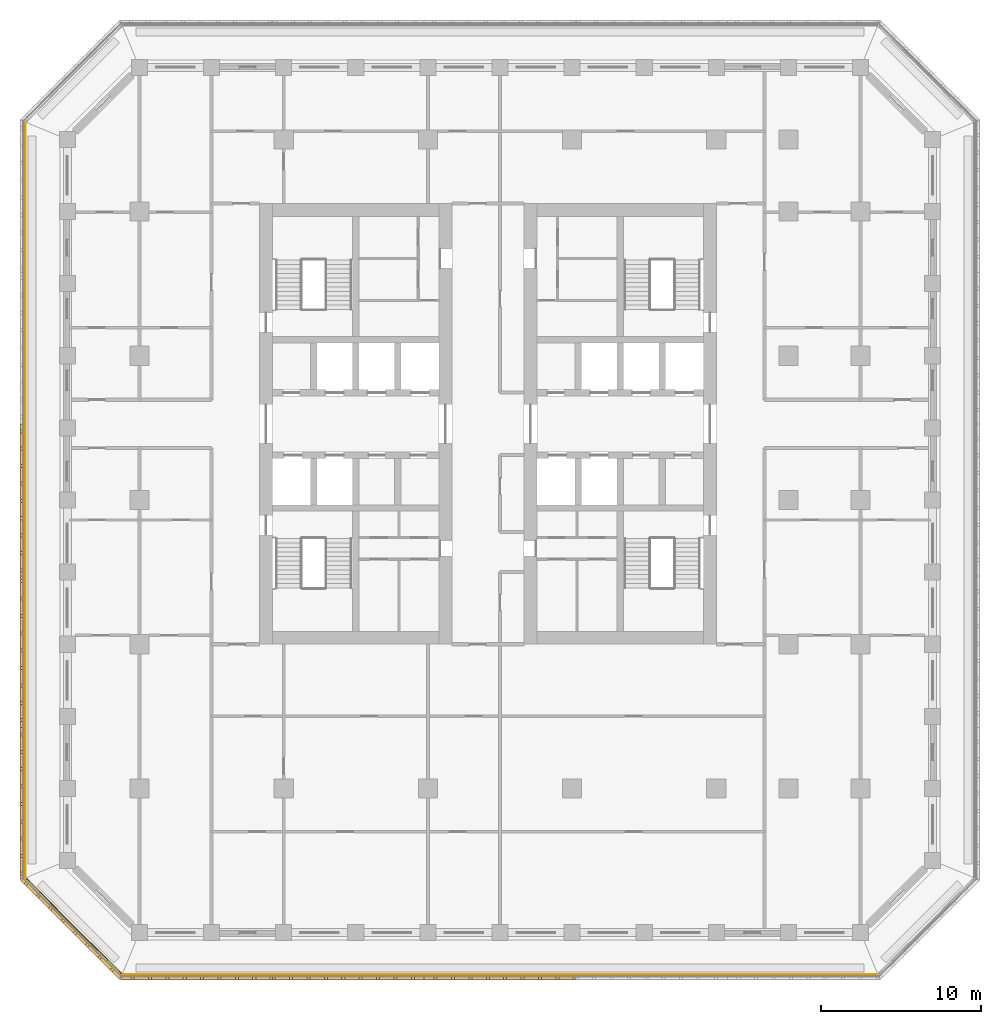
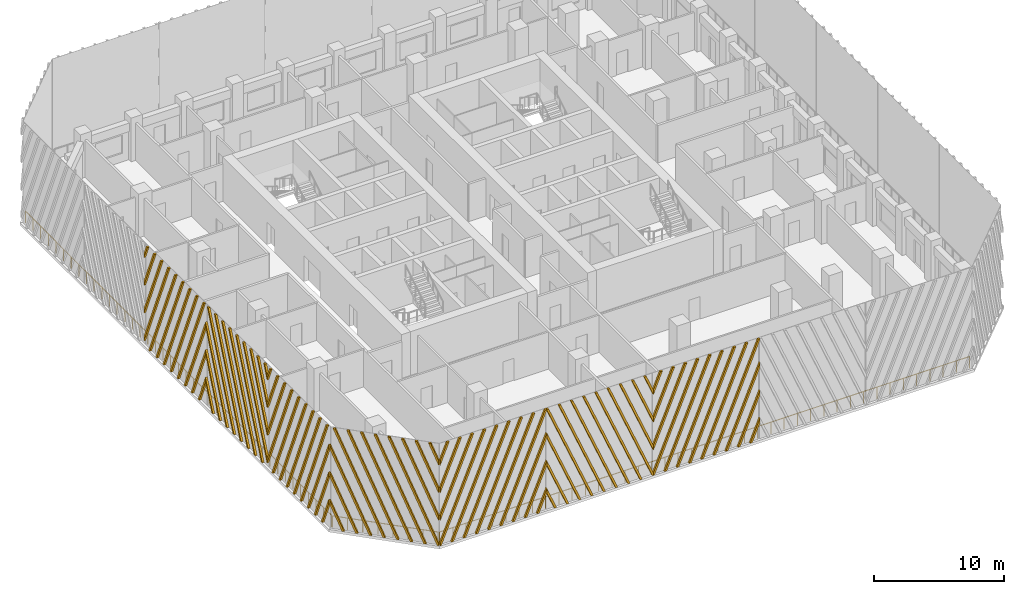
# One storey, part 10 of 17: 7 shading devices, 3 railings.
"""IFC4 building model written with IfcOpenShell, lengths in metres."""

from ifc_helpers import new_model, si_unit, direction, frame, origin, origin_2d, place, context, subcontext, project, spatial, polyline, circle, outline, extrude, source, transform, mapped, material, type_object, element, save


model = new_model("IFC4")

# Units and contexts
model_context = context("Model", 3, precision=1e-05, world=origin(), true_north=direction((0.0, 1.0)))
body_context = subcontext(model_context, "Body", "Model", "MODEL_VIEW")
ifc_project = project(units=[si_unit("LENGTHUNIT", "METRE"), si_unit("AREAUNIT", "SQUARE_METRE"), si_unit("VOLUMEUNIT", "CUBIC_METRE"), si_unit("PLANEANGLEUNIT", "RADIAN"), si_unit("MASSUNIT", "GRAM", prefix="KILO")], contexts=[model_context])

# Site, building, storey
site_placement = place(None, origin())
site = spatial("IfcSite", under=ifc_project, at=site_placement, CompositionType="ELEMENT")
building_placement = place(site_placement, origin())
building = spatial("IfcBuilding", under=site, at=building_placement, Name="Corbel Stack Research Tower", CompositionType="ELEMENT")
storey_placement = place(building_placement, frame((0.0, 0.0, 216.10009765625)))
storey = spatial("IfcBuildingStorey", under=building, at=storey_placement, Name="L49", CompositionType="ELEMENT", Elevation=216.10009765625)

# Railings
ifc_material_1 = material(Name="Powder-coated steel guard", Category="steel")
railing_type = type_object("IfcRailingType", Name="Steel and glass guard 1100", PredefinedType="GUARDRAIL", material=ifc_material_1)
railing_1_placement = place(storey_placement, frame((-19.00537109375, -29.60009765625, 0.0)))
element("IfcRailing", 1, at=railing_1_placement, inside=storey, type_object=railing_type, Name="Loggia guard L49 S", PredefinedType="GUARDRAIL", context=body_context, shape_type="SweptSolid", body=[
    extrude(circle(Radius=0.02392578125, at=origin_2d()), frame((0.0, 0.0, 1.076171875), z_axis=(1.0, 0.0, 0.0), x_axis=(0.0, 1.0, 0.0)), (0.0, 0.0, 1.0), 47.0107421875),
    extrude(circle(Radius=0.02099609375, at=origin_2d()), origin(), (0.0, 0.0, 1.0), 1.052001953125),
    extrude(circle(Radius=0.02099609375, at=origin_2d()), frame((1.17529296875, 0.0, 0.0)), (0.0, 0.0, 1.0), 1.052001953125),
    extrude(circle(Radius=0.02099609375, at=origin_2d()), frame((2.3505859375, 0.0, 0.0)), (0.0, 0.0, 1.0), 1.052001953125),
    extrude(circle(Radius=0.02099609375, at=origin_2d()), frame((3.52587890625, 0.0, 0.0)), (0.0, 0.0, 1.0), 1.052001953125),
    extrude(circle(Radius=0.02099609375, at=origin_2d()), frame((4.701171875, 0.0, 0.0)), (0.0, 0.0, 1.0), 1.052001953125),
    extrude(circle(Radius=0.02099609375, at=origin_2d()), frame((5.87646484375, 0.0, 0.0)), (0.0, 0.0, 1.0), 1.052001953125),
    extrude(circle(Radius=0.02099609375, at=origin_2d()), frame((7.051513671875, 0.0, 0.0)), (0.0, 0.0, 1.0), 1.052001953125),
    extrude(circle(Radius=0.02099609375, at=origin_2d()), frame((8.226806640625, 0.0, 0.0)), (0.0, 0.0, 1.0), 1.052001953125),
    extrude(circle(Radius=0.02099609375, at=origin_2d()), frame((9.402099609375, 0.0, 0.0)), (0.0, 0.0, 1.0), 1.052001953125),
    extrude(circle(Radius=0.02099609375, at=origin_2d()), frame((10.577392578125, 0.0, 0.0)), (0.0, 0.0, 1.0), 1.052001953125),
    extrude(circle(Radius=0.02099609375, at=origin_2d()), frame((11.752685546875, 0.0, 0.0)), (0.0, 0.0, 1.0), 1.052001953125),
    extrude(circle(Radius=0.02099609375, at=origin_2d()), frame((12.927978515625, 0.0, 0.0)), (0.0, 0.0, 1.0), 1.052001953125),
    extrude(circle(Radius=0.02099609375, at=origin_2d()), frame((14.103271484375, 0.0, 0.0)), (0.0, 0.0, 1.0), 1.052001953125),
    extrude(circle(Radius=0.02099609375, at=origin_2d()), frame((15.278564453125, 0.0, 0.0)), (0.0, 0.0, 1.0), 1.052001953125),
    extrude(circle(Radius=0.02099609375, at=origin_2d()), frame((16.453857421875, 0.0, 0.0)), (0.0, 0.0, 1.0), 1.052001953125),
    extrude(circle(Radius=0.02099609375, at=origin_2d()), frame((17.62890625, 0.0, 0.0)), (0.0, 0.0, 1.0), 1.052001953125),
    extrude(circle(Radius=0.02099609375, at=origin_2d()), frame((18.80419921875, 0.0, 0.0)), (0.0, 0.0, 1.0), 1.052001953125),
    extrude(circle(Radius=0.02099609375, at=origin_2d()), frame((19.9794921875, 0.0, 0.0)), (0.0, 0.0, 1.0), 1.052001953125),
    extrude(circle(Radius=0.02099609375, at=origin_2d()), frame((21.15478515625, 0.0, 0.0)), (0.0, 0.0, 1.0), 1.052001953125),
    extrude(circle(Radius=0.02099609375, at=origin_2d()), frame((22.330078125, 0.0, 0.0)), (0.0, 0.0, 1.0), 1.052001953125),
    extrude(circle(Radius=0.02099609375, at=origin_2d()), frame((23.50537109375, 0.0, 0.0)), (0.0, 0.0, 1.0), 1.052001953125),
    extrude(circle(Radius=0.02099609375, at=origin_2d()), frame((24.6806640625, 0.0, 0.0)), (0.0, 0.0, 1.0), 1.052001953125),
    extrude(circle(Radius=0.02099609375, at=origin_2d()), frame((25.85595703125, 0.0, 0.0)), (0.0, 0.0, 1.0), 1.052001953125),
    extrude(circle(Radius=0.02099609375, at=origin_2d()), frame((27.03125, 0.0, 0.0)), (0.0, 0.0, 1.0), 1.052001953125),
    extrude(circle(Radius=0.02099609375, at=origin_2d()), frame((28.20654296875, 0.0, 0.0)), (0.0, 0.0, 1.0), 1.052001953125),
    extrude(circle(Radius=0.02099609375, at=origin_2d()), frame((29.3818359375, 0.0, 0.0)), (0.0, 0.0, 1.0), 1.052001953125),
    extrude(circle(Radius=0.02099609375, at=origin_2d()), frame((30.556884765625, 0.0, 0.0)), (0.0, 0.0, 1.0), 1.052001953125),
    extrude(circle(Radius=0.02099609375, at=origin_2d()), frame((31.732177734375, 0.0, 0.0)), (0.0, 0.0, 1.0), 1.052001953125),
    extrude(circle(Radius=0.02099609375, at=origin_2d()), frame((32.907470703125, 0.0, 0.0)), (0.0, 0.0, 1.0), 1.052001953125),
    extrude(circle(Radius=0.02099609375, at=origin_2d()), frame((34.082763671875, 0.0, 0.0)), (0.0, 0.0, 1.0), 1.052001953125),
    extrude(circle(Radius=0.02099609375, at=origin_2d()), frame((35.258056640625, 0.0, 0.0)), (0.0, 0.0, 1.0), 1.052001953125),
    extrude(circle(Radius=0.02099609375, at=origin_2d()), frame((36.433349609375, 0.0, 0.0)), (0.0, 0.0, 1.0), 1.052001953125),
    extrude(circle(Radius=0.02099609375, at=origin_2d()), frame((37.608642578125, 0.0, 0.0)), (0.0, 0.0, 1.0), 1.052001953125),
    extrude(circle(Radius=0.02099609375, at=origin_2d()), frame((38.783935546875, 0.0, 0.0)), (0.0, 0.0, 1.0), 1.052001953125),
    extrude(circle(Radius=0.02099609375, at=origin_2d()), frame((39.959228515625, 0.0, 0.0)), (0.0, 0.0, 1.0), 1.052001953125),
    extrude(circle(Radius=0.02099609375, at=origin_2d()), frame((41.13427734375, 0.0, 0.0)), (0.0, 0.0, 1.0), 1.052001953125),
    extrude(circle(Radius=0.02099609375, at=origin_2d()), frame((42.3095703125, 0.0, 0.0)), (0.0, 0.0, 1.0), 1.052001953125),
    extrude(circle(Radius=0.02099609375, at=origin_2d()), frame((43.48486328125, 0.0, 0.0)), (0.0, 0.0, 1.0), 1.052001953125),
    extrude(circle(Radius=0.02099609375, at=origin_2d()), frame((44.66015625, 0.0, 0.0)), (0.0, 0.0, 1.0), 1.052001953125),
    extrude(circle(Radius=0.02099609375, at=origin_2d()), frame((45.83544921875, 0.0, 0.0)), (0.0, 0.0, 1.0), 1.052001953125),
    extrude(circle(Radius=0.02099609375, at=origin_2d()), frame((47.0107421875, 0.0, 0.0)), (0.0, 0.0, 1.0), 1.052001953125),
])
railing_2_placement = place(storey_placement, frame((-25.10009765625, 23.50537109375, 0.0)))
element("IfcRailing", 2, at=railing_2_placement, inside=storey, type_object=railing_type, Name="Loggia guard L49 W", PredefinedType="GUARDRAIL", context=body_context, shape_type="SweptSolid", body=[
    extrude(circle(Radius=0.02392578125, at=origin_2d()), frame((0.0, 0.0, 1.076171875), z_axis=(0.0, -1.0, 0.0), x_axis=(1.0, 0.0, 0.0)), (0.0, 0.0, 1.0), 47.0107421875),
    extrude(circle(Radius=0.02099609375, at=origin_2d()), origin(), (0.0, 0.0, 1.0), 1.052001953125),
    extrude(circle(Radius=0.02099609375, at=origin_2d()), frame((0.0, -1.17529296875, 0.0)), (0.0, 0.0, 1.0), 1.052001953125),
    extrude(circle(Radius=0.02099609375, at=origin_2d()), frame((0.0, -2.3505859375, 0.0)), (0.0, 0.0, 1.0), 1.052001953125),
    extrude(circle(Radius=0.02099609375, at=origin_2d()), frame((0.0, -3.52587890625, 0.0)), (0.0, 0.0, 1.0), 1.052001953125),
    extrude(circle(Radius=0.02099609375, at=origin_2d()), frame((0.0, -4.701171875, 0.0)), (0.0, 0.0, 1.0), 1.052001953125),
    extrude(circle(Radius=0.02099609375, at=origin_2d()), frame((0.0, -5.87646484375, 0.0)), (0.0, 0.0, 1.0), 1.052001953125),
    extrude(circle(Radius=0.02099609375, at=origin_2d()), frame((0.0, -7.051513671875, 0.0)), (0.0, 0.0, 1.0), 1.052001953125),
    extrude(circle(Radius=0.02099609375, at=origin_2d()), frame((0.0, -8.226806640625, 0.0)), (0.0, 0.0, 1.0), 1.052001953125),
    extrude(circle(Radius=0.02099609375, at=origin_2d()), frame((0.0, -9.402099609375, 0.0)), (0.0, 0.0, 1.0), 1.052001953125),
    extrude(circle(Radius=0.02099609375, at=origin_2d()), frame((0.0, -10.577392578125, 0.0)), (0.0, 0.0, 1.0), 1.052001953125),
    extrude(circle(Radius=0.02099609375, at=origin_2d()), frame((0.0, -11.752685546875, 0.0)), (0.0, 0.0, 1.0), 1.052001953125),
    extrude(circle(Radius=0.02099609375, at=origin_2d()), frame((0.0, -12.927978515625, 0.0)), (0.0, 0.0, 1.0), 1.052001953125),
    extrude(circle(Radius=0.02099609375, at=origin_2d()), frame((0.0, -14.103271484375, 0.0)), (0.0, 0.0, 1.0), 1.052001953125),
    extrude(circle(Radius=0.02099609375, at=origin_2d()), frame((0.0, -15.278564453125, 0.0)), (0.0, 0.0, 1.0), 1.052001953125),
    extrude(circle(Radius=0.02099609375, at=origin_2d()), frame((0.0, -16.453857421875, 0.0)), (0.0, 0.0, 1.0), 1.052001953125),
    extrude(circle(Radius=0.02099609375, at=origin_2d()), frame((0.0, -17.62890625, 0.0)), (0.0, 0.0, 1.0), 1.052001953125),
    extrude(circle(Radius=0.02099609375, at=origin_2d()), frame((0.0, -18.80419921875, 0.0)), (0.0, 0.0, 1.0), 1.052001953125),
    extrude(circle(Radius=0.02099609375, at=origin_2d()), frame((0.0, -19.9794921875, 0.0)), (0.0, 0.0, 1.0), 1.052001953125),
    extrude(circle(Radius=0.02099609375, at=origin_2d()), frame((0.0, -21.15478515625, 0.0)), (0.0, 0.0, 1.0), 1.052001953125),
    extrude(circle(Radius=0.02099609375, at=origin_2d()), frame((0.0, -22.330078125, 0.0)), (0.0, 0.0, 1.0), 1.052001953125),
    extrude(circle(Radius=0.02099609375, at=origin_2d()), frame((0.0, -23.50537109375, 0.0)), (0.0, 0.0, 1.0), 1.052001953125),
    extrude(circle(Radius=0.02099609375, at=origin_2d()), frame((0.0, -24.6806640625, 0.0)), (0.0, 0.0, 1.0), 1.052001953125),
    extrude(circle(Radius=0.02099609375, at=origin_2d()), frame((0.0, -25.85595703125, 0.0)), (0.0, 0.0, 1.0), 1.052001953125),
    extrude(circle(Radius=0.02099609375, at=origin_2d()), frame((0.0, -27.03125, 0.0)), (0.0, 0.0, 1.0), 1.052001953125),
    extrude(circle(Radius=0.02099609375, at=origin_2d()), frame((0.0, -28.20654296875, 0.0)), (0.0, 0.0, 1.0), 1.052001953125),
    extrude(circle(Radius=0.02099609375, at=origin_2d()), frame((0.0, -29.3818359375, 0.0)), (0.0, 0.0, 1.0), 1.052001953125),
    extrude(circle(Radius=0.02099609375, at=origin_2d()), frame((0.0, -30.556884765625, 0.0)), (0.0, 0.0, 1.0), 1.052001953125),
    extrude(circle(Radius=0.02099609375, at=origin_2d()), frame((0.0, -31.732177734375, 0.0)), (0.0, 0.0, 1.0), 1.052001953125),
    extrude(circle(Radius=0.02099609375, at=origin_2d()), frame((0.0, -32.907470703125, 0.0)), (0.0, 0.0, 1.0), 1.052001953125),
    extrude(circle(Radius=0.02099609375, at=origin_2d()), frame((0.0, -34.082763671875, 0.0)), (0.0, 0.0, 1.0), 1.052001953125),
    extrude(circle(Radius=0.02099609375, at=origin_2d()), frame((0.0, -35.258056640625, 0.0)), (0.0, 0.0, 1.0), 1.052001953125),
    extrude(circle(Radius=0.02099609375, at=origin_2d()), frame((0.0, -36.433349609375, 0.0)), (0.0, 0.0, 1.0), 1.052001953125),
    extrude(circle(Radius=0.02099609375, at=origin_2d()), frame((0.0, -37.608642578125, 0.0)), (0.0, 0.0, 1.0), 1.052001953125),
    extrude(circle(Radius=0.02099609375, at=origin_2d()), frame((0.0, -38.783935546875, 0.0)), (0.0, 0.0, 1.0), 1.052001953125),
    extrude(circle(Radius=0.02099609375, at=origin_2d()), frame((0.0, -39.959228515625, 0.0)), (0.0, 0.0, 1.0), 1.052001953125),
    extrude(circle(Radius=0.02099609375, at=origin_2d()), frame((0.0, -41.13427734375, 0.0)), (0.0, 0.0, 1.0), 1.052001953125),
    extrude(circle(Radius=0.02099609375, at=origin_2d()), frame((0.0, -42.3095703125, 0.0)), (0.0, 0.0, 1.0), 1.052001953125),
    extrude(circle(Radius=0.02099609375, at=origin_2d()), frame((0.0, -43.48486328125, 0.0)), (0.0, 0.0, 1.0), 1.052001953125),
    extrude(circle(Radius=0.02099609375, at=origin_2d()), frame((0.0, -44.66015625, 0.0)), (0.0, 0.0, 1.0), 1.052001953125),
    extrude(circle(Radius=0.02099609375, at=origin_2d()), frame((0.0, -45.83544921875, 0.0)), (0.0, 0.0, 1.0), 1.052001953125),
    extrude(circle(Radius=0.02099609375, at=origin_2d()), frame((0.0, -47.0107421875, 0.0)), (0.0, 0.0, 1.0), 1.052001953125),
])
railing_3_placement = place(storey_placement, frame((-25.04931640625, -23.627685546875, 0.0)))
element("IfcRailing", 3, at=railing_3_placement, inside=storey, type_object=railing_type, Name="Loggia guard L49 SW", PredefinedType="GUARDRAIL", context=body_context, shape_type="SweptSolid", body=[
    extrude(circle(Radius=0.02392578125, at=origin_2d()), frame((0.0, 0.0, 1.076171875), z_axis=(0.707106781187, -0.707106781187, 0.0), x_axis=(0.707106781187, 0.707106781187, 0.0)), (0.0, 0.0, 1.0), 8.37451171875),
    extrude(circle(Radius=0.02099609375, at=origin_2d()), origin(), (0.0, 0.0, 1.0), 1.052001953125),
    extrude(circle(Radius=0.02099609375, at=origin_2d()), frame((0.845947265625, -0.845947265625, 0.0)), (0.0, 0.0, 1.0), 1.052001953125),
    extrude(circle(Radius=0.02099609375, at=origin_2d()), frame((1.69189453125, -1.69189453125, 0.0)), (0.0, 0.0, 1.0), 1.052001953125),
    extrude(circle(Radius=0.02099609375, at=origin_2d()), frame((2.537841796875, -2.537841796875, 0.0)), (0.0, 0.0, 1.0), 1.052001953125),
    extrude(circle(Radius=0.02099609375, at=origin_2d()), frame((3.3837890625, -3.3837890625, 0.0)), (0.0, 0.0, 1.0), 1.052001953125),
    extrude(circle(Radius=0.02099609375, at=origin_2d()), frame((4.229736328125, -4.229736328125, 0.0)), (0.0, 0.0, 1.0), 1.052001953125),
    extrude(circle(Radius=0.02099609375, at=origin_2d()), frame((5.07568359375, -5.07568359375, 0.0)), (0.0, 0.0, 1.0), 1.052001953125),
    extrude(circle(Radius=0.02099609375, at=origin_2d()), frame((5.921630859375, -5.921630859375, 0.0)), (0.0, 0.0, 1.0), 1.052001953125),
])

# Shading devices
ifc_material_2 = material(Name="Precast terracotta", Category="masonry")
shading_device_type = type_object("IfcShadingDeviceType", Name="Terracotta screen panel", PredefinedType="USERDEFINED", material=ifc_material_2)
shared_shape_1 = source(origin(), body_context, "Body", "SweptSolid", [
    extrude(outline(polyline([(0.80859375, 9.5), (0.618408203125, 9.5), (0.0, 8.01904296875), (0.0, 7.564208984375), (0.80859375, 9.5)])), frame((0.0, 0.0, 0.0), z_axis=(0.0, -1.0, 0.0), x_axis=(1.0, 0.0, 0.0)), (0.0, 0.0, 1.0), 0.179931640625),
    extrude(outline(polyline([(1.893310546875, 9.5), (1.703125, 9.5), (0.0, 5.421875), (0.0, 4.966796875), (1.893310546875, 9.5)])), frame((0.0, 0.0, 0.0), z_axis=(0.0, -1.0, 0.0), x_axis=(1.0, 0.0, 0.0)), (0.0, 0.0, 1.0), 0.179931640625),
    extrude(outline(polyline([(2.977783203125, 9.5), (2.787841796875, 9.5), (0.0, 2.82470703125), (0.0, 2.36962890625), (2.977783203125, 9.5)])), frame((0.0, 0.0, 0.0), z_axis=(0.0, -1.0, 0.0), x_axis=(1.0, 0.0, 0.0)), (0.0, 0.0, 1.0), 0.179931640625),
    extrude(outline(polyline([(0.094970703125, 0.0), (4.0625, 9.5), (3.87255859375, 9.5), (0.0, 0.2275390625), (0.0, 0.0), (0.094970703125, 0.0)])), frame((0.0, 0.0, 0.0), z_axis=(0.0, -1.0, 0.0), x_axis=(1.0, 0.0, 0.0)), (0.0, 0.0, 1.0), 0.179931640625),
    extrude(outline(polyline([(1.1796875, 0.0), (5.147216796875, 9.5), (4.957275390625, 9.5), (0.98974609375, 0.0), (1.1796875, 0.0)])), frame((0.0, 0.0, 0.0), z_axis=(0.0, -1.0, 0.0), x_axis=(1.0, 0.0, 0.0)), (0.0, 0.0, 1.0), 0.179931640625),
    extrude(outline(polyline([(2.264404296875, 0.0), (6.231689453125, 9.5), (6.041748046875, 9.5), (2.07421875, 0.0), (2.264404296875, 0.0)])), frame((0.0, 0.0, 0.0), z_axis=(0.0, -1.0, 0.0), x_axis=(1.0, 0.0, 0.0)), (0.0, 0.0, 1.0), 0.179931640625),
    extrude(outline(polyline([(3.34912109375, 0.0), (7.31640625, 9.5), (7.12646484375, 9.5), (3.158935546875, 0.0), (3.34912109375, 0.0)])), frame((0.0, 0.0, 0.0), z_axis=(0.0, -1.0, 0.0), x_axis=(1.0, 0.0, 0.0)), (0.0, 0.0, 1.0), 0.179931640625),
    extrude(outline(polyline([(4.43359375, 0.0), (8.401123046875, 9.5), (8.211181640625, 9.5), (4.24365234375, 0.0), (4.43359375, 0.0)])), frame((0.0, 0.0, 0.0), z_axis=(0.0, -1.0, 0.0), x_axis=(1.0, 0.0, 0.0)), (0.0, 0.0, 1.0), 0.179931640625),
    extrude(outline(polyline([(5.518310546875, 0.0), (9.45556640625, 9.427734375), (9.45556640625, 9.5), (9.2958984375, 9.5), (5.328369140625, 0.0), (5.518310546875, 0.0)])), frame((0.0, 0.0, 0.0), z_axis=(0.0, -1.0, 0.0), x_axis=(1.0, 0.0, 0.0)), (0.0, 0.0, 1.0), 0.179931640625),
    extrude(outline(polyline([(6.60302734375, 0.0), (9.45556640625, 6.83056640625), (9.45556640625, 7.285400390625), (6.4130859375, 0.0), (6.60302734375, 0.0)])), frame((0.0, 0.0, 0.0), z_axis=(0.0, -1.0, 0.0), x_axis=(1.0, 0.0, 0.0)), (0.0, 0.0, 1.0), 0.179931640625),
    extrude(outline(polyline([(7.687744140625, 0.0), (9.45556640625, 4.2333984375), (9.45556640625, 4.688232421875), (7.497802734375, 0.0), (7.687744140625, 0.0)])), frame((0.0, 0.0, 0.0), z_axis=(0.0, -1.0, 0.0), x_axis=(1.0, 0.0, 0.0)), (0.0, 0.0, 1.0), 0.179931640625),
    extrude(outline(polyline([(8.772216796875, 0.0), (9.45556640625, 1.635986328125), (9.45556640625, 2.091064453125), (8.582275390625, 0.0), (8.772216796875, 0.0)])), frame((0.0, 0.0, 0.0), z_axis=(0.0, -1.0, 0.0), x_axis=(1.0, 0.0, 0.0)), (0.0, 0.0, 1.0), 0.179931640625),
])
for number, where, z_axis, x_axis, name in (
    (4, (-19.13916015625, -29.75, 0.0), (0.0, 0.0, 1.0), (1.0, 0.0, 0.0), "Terracotta screen L49 S1"),
    (5, (-0.227783203125, -29.75, 0.0), (0.0, 0.0, 1.0), (1.0, 0.0, 0.0), "Terracotta screen L49 S3"),
):
    element("IfcShadingDevice", number, at=place(storey_placement, frame(where, z_axis=z_axis, x_axis=x_axis)), inside=storey, type_object=shading_device_type, Name=name, ObjectType="SCREEN", PredefinedType="USERDEFINED", context=body_context, shape_type="MappedRepresentation", body=[
        mapped(shared_shape_1, transform((0.0, 0.0, 0.0))),
    ])
shared_shape_2 = source(origin(), body_context, "Body", "SweptSolid", [
    extrude(outline(polyline([(0.873291015625, 0.0), (0.0, 2.091064453125), (0.0, 1.635986328125), (0.683349609375, 0.0), (0.873291015625, 0.0)])), frame((0.0, 0.0, 0.0), z_axis=(0.0, -1.0, 0.0), x_axis=(1.0, 0.0, 0.0)), (0.0, 0.0, 1.0), 0.179931640625),
    extrude(outline(polyline([(1.9580078125, 0.0), (0.0, 4.688232421875), (0.0, 4.2333984375), (1.76806640625, 0.0), (1.9580078125, 0.0)])), frame((0.0, 0.0, 0.0), z_axis=(0.0, -1.0, 0.0), x_axis=(1.0, 0.0, 0.0)), (0.0, 0.0, 1.0), 0.179931640625),
    extrude(outline(polyline([(3.04248046875, 0.0), (0.0, 7.285400390625), (0.0, 6.83056640625), (2.8525390625, 0.0), (3.04248046875, 0.0)])), frame((0.0, 0.0, 0.0), z_axis=(0.0, -1.0, 0.0), x_axis=(1.0, 0.0, 0.0)), (0.0, 0.0, 1.0), 0.179931640625),
    extrude(outline(polyline([(4.127197265625, 0.0), (0.159912109375, 9.5), (0.0, 9.5), (0.0, 9.427734375), (3.937255859375, 0.0), (4.127197265625, 0.0)])), frame((0.0, 0.0, 0.0), z_axis=(0.0, -1.0, 0.0), x_axis=(1.0, 0.0, 0.0)), (0.0, 0.0, 1.0), 0.179931640625),
    extrude(outline(polyline([(5.2119140625, 0.0), (1.244384765625, 9.5), (1.054443359375, 9.5), (5.02197265625, 0.0), (5.2119140625, 0.0)])), frame((0.0, 0.0, 0.0), z_axis=(0.0, -1.0, 0.0), x_axis=(1.0, 0.0, 0.0)), (0.0, 0.0, 1.0), 0.179931640625),
    extrude(outline(polyline([(6.296630859375, 0.0), (2.3291015625, 9.5), (2.13916015625, 9.5), (6.106689453125, 0.0), (6.296630859375, 0.0)])), frame((0.0, 0.0, 0.0), z_axis=(0.0, -1.0, 0.0), x_axis=(1.0, 0.0, 0.0)), (0.0, 0.0, 1.0), 0.179931640625),
    extrude(outline(polyline([(7.38134765625, 0.0), (3.413818359375, 9.5), (3.223876953125, 9.5), (7.19140625, 0.0), (7.38134765625, 0.0)])), frame((0.0, 0.0, 0.0), z_axis=(0.0, -1.0, 0.0), x_axis=(1.0, 0.0, 0.0)), (0.0, 0.0, 1.0), 0.179931640625),
    extrude(outline(polyline([(8.466064453125, 0.0), (4.49853515625, 9.5), (4.30859375, 9.5), (8.27587890625, 0.0), (8.466064453125, 0.0)])), frame((0.0, 0.0, 0.0), z_axis=(0.0, -1.0, 0.0), x_axis=(1.0, 0.0, 0.0)), (0.0, 0.0, 1.0), 0.179931640625),
    extrude(outline(polyline([(9.45556640625, 0.0), (9.45556640625, 0.2275390625), (5.5830078125, 9.5), (5.39306640625, 9.5), (9.360595703125, 0.0), (9.45556640625, 0.0)])), frame((0.0, 0.0, 0.0), z_axis=(0.0, -1.0, 0.0), x_axis=(1.0, 0.0, 0.0)), (0.0, 0.0, 1.0), 0.179931640625),
    extrude(outline(polyline([(6.667724609375, 9.5), (6.477783203125, 9.5), (9.45556640625, 2.36962890625), (9.45556640625, 2.82470703125), (6.667724609375, 9.5)])), frame((0.0, 0.0, 0.0), z_axis=(0.0, -1.0, 0.0), x_axis=(1.0, 0.0, 0.0)), (0.0, 0.0, 1.0), 0.179931640625),
    extrude(outline(polyline([(7.75244140625, 9.5), (7.5625, 9.5), (9.45556640625, 4.966796875), (9.45556640625, 5.421875), (7.75244140625, 9.5)])), frame((0.0, 0.0, 0.0), z_axis=(0.0, -1.0, 0.0), x_axis=(1.0, 0.0, 0.0)), (0.0, 0.0, 1.0), 0.179931640625),
    extrude(outline(polyline([(8.837158203125, 9.5), (8.647216796875, 9.5), (9.45556640625, 7.564208984375), (9.45556640625, 8.01904296875), (8.837158203125, 9.5)])), frame((0.0, 0.0, 0.0), z_axis=(0.0, -1.0, 0.0), x_axis=(1.0, 0.0, 0.0)), (0.0, 0.0, 1.0), 0.179931640625),
])
shading_device_1_placement = place(storey_placement, frame((-9.68359375, -29.75, 0.0), z_axis=(0.0, 0.0, 1.0), x_axis=(1.0, 0.0, 0.0)))
element("IfcShadingDevice", 6, at=shading_device_1_placement, inside=storey, type_object=shading_device_type, Name="Terracotta screen L49 S2", ObjectType="SCREEN", PredefinedType="USERDEFINED", context=body_context, shape_type="MappedRepresentation", body=[
    mapped(shared_shape_2, transform((0.0, 0.0, 0.0))),
])
shared_shape_3 = source(origin(), body_context, "Body", "SweptSolid", [
    extrude(outline(polyline([(0.537353515625, 9.5), (0.347412109375, 9.5), (0.0, 8.668212890625), (0.0, 8.21337890625), (0.537353515625, 9.5)])), frame((0.0, 0.0, 0.0), z_axis=(0.0, -1.0, 0.0), x_axis=(1.0, 0.0, 0.0)), (0.0, 0.0, 1.0), 0.179931640625),
    extrude(outline(polyline([(1.6220703125, 9.5), (1.431884765625, 9.5), (0.0, 6.071044921875), (0.0, 5.6162109375), (1.6220703125, 9.5)])), frame((0.0, 0.0, 0.0), z_axis=(0.0, -1.0, 0.0), x_axis=(1.0, 0.0, 0.0)), (0.0, 0.0, 1.0), 0.179931640625),
    extrude(outline(polyline([(2.706787109375, 9.5), (2.5166015625, 9.5), (0.0, 3.473876953125), (0.0, 3.01904296875), (2.706787109375, 9.5)])), frame((0.0, 0.0, 0.0), z_axis=(0.0, -1.0, 0.0), x_axis=(1.0, 0.0, 0.0)), (0.0, 0.0, 1.0), 0.179931640625),
    extrude(outline(polyline([(3.791259765625, 9.5), (3.601318359375, 9.5), (0.0, 0.876708984375), (0.0, 0.421875), (3.791259765625, 9.5)])), frame((0.0, 0.0, 0.0), z_axis=(0.0, -1.0, 0.0), x_axis=(1.0, 0.0, 0.0)), (0.0, 0.0, 1.0), 0.179931640625),
    extrude(outline(polyline([(0.908447265625, 0.0), (4.8759765625, 9.5), (4.68603515625, 9.5), (0.718505859375, 0.0), (0.908447265625, 0.0)])), frame((0.0, 0.0, 0.0), z_axis=(0.0, -1.0, 0.0), x_axis=(1.0, 0.0, 0.0)), (0.0, 0.0, 1.0), 0.179931640625),
    extrude(outline(polyline([(1.9931640625, 0.0), (5.960693359375, 9.5), (5.770751953125, 9.5), (1.80322265625, 0.0), (1.9931640625, 0.0)])), frame((0.0, 0.0, 0.0), z_axis=(0.0, -1.0, 0.0), x_axis=(1.0, 0.0, 0.0)), (0.0, 0.0, 1.0), 0.179931640625),
    extrude(outline(polyline([(3.077880859375, 0.0), (7.04541015625, 9.5), (6.855224609375, 9.5), (2.8876953125, 0.0), (3.077880859375, 0.0)])), frame((0.0, 0.0, 0.0), z_axis=(0.0, -1.0, 0.0), x_axis=(1.0, 0.0, 0.0)), (0.0, 0.0, 1.0), 0.179931640625),
    extrude(outline(polyline([(4.16259765625, 0.0), (8.1298828125, 9.5), (7.93994140625, 9.5), (3.972412109375, 0.0), (4.16259765625, 0.0)])), frame((0.0, 0.0, 0.0), z_axis=(0.0, -1.0, 0.0), x_axis=(1.0, 0.0, 0.0)), (0.0, 0.0, 1.0), 0.179931640625),
    extrude(outline(polyline([(5.247314453125, 0.0), (9.214599609375, 9.5), (9.024658203125, 9.5), (5.05712890625, 0.0), (5.247314453125, 0.0)])), frame((0.0, 0.0, 0.0), z_axis=(0.0, -1.0, 0.0), x_axis=(1.0, 0.0, 0.0)), (0.0, 0.0, 1.0), 0.179931640625),
    extrude(outline(polyline([(6.331787109375, 0.0), (9.45556640625, 7.479736328125), (9.45556640625, 7.934814453125), (6.141845703125, 0.0), (6.331787109375, 0.0)])), frame((0.0, 0.0, 0.0), z_axis=(0.0, -1.0, 0.0), x_axis=(1.0, 0.0, 0.0)), (0.0, 0.0, 1.0), 0.179931640625),
    extrude(outline(polyline([(7.41650390625, 0.0), (9.45556640625, 4.882568359375), (9.45556640625, 5.337646484375), (7.2265625, 0.0), (7.41650390625, 0.0)])), frame((0.0, 0.0, 0.0), z_axis=(0.0, -1.0, 0.0), x_axis=(1.0, 0.0, 0.0)), (0.0, 0.0, 1.0), 0.179931640625),
    extrude(outline(polyline([(8.501220703125, 0.0), (9.45556640625, 2.285400390625), (9.45556640625, 2.740478515625), (8.311279296875, 0.0), (8.501220703125, 0.0)])), frame((0.0, 0.0, 0.0), z_axis=(0.0, -1.0, 0.0), x_axis=(1.0, 0.0, 0.0)), (0.0, 0.0, 1.0), 0.179931640625),
])
for number, where, z_axis, x_axis, name in (
    (7, (-25.25, 4.727783203125, 0.0), (0.0, 0.0, 1.0), (0.0, -1.0, 0.0), "Terracotta screen L49 W3"),
    (8, (-25.25, -14.18359375, 0.0), (0.0, 0.0, 1.0), (0.0, -1.0, 0.0), "Terracotta screen L49 W5"),
):
    element("IfcShadingDevice", number, at=place(storey_placement, frame(where, z_axis=z_axis, x_axis=x_axis)), inside=storey, type_object=shading_device_type, Name=name, ObjectType="SCREEN", PredefinedType="USERDEFINED", context=body_context, shape_type="MappedRepresentation", body=[
        mapped(shared_shape_3, transform((0.0, 0.0, 0.0))),
    ])
shared_shape_4 = source(origin(), body_context, "Body", "SweptSolid", [
    extrude(outline(polyline([(1.14453125, 0.0), (0.0, 2.740478515625), (0.0, 2.285400390625), (0.95458984375, 0.0), (1.14453125, 0.0)])), frame((0.0, 0.0, 0.0), z_axis=(0.0, -1.0, 0.0), x_axis=(1.0, 0.0, 0.0)), (0.0, 0.0, 1.0), 0.179931640625),
    extrude(outline(polyline([(2.22900390625, 0.0), (0.0, 5.337646484375), (0.0, 4.882568359375), (2.0390625, 0.0), (2.22900390625, 0.0)])), frame((0.0, 0.0, 0.0), z_axis=(0.0, -1.0, 0.0), x_axis=(1.0, 0.0, 0.0)), (0.0, 0.0, 1.0), 0.179931640625),
    extrude(outline(polyline([(3.313720703125, 0.0), (0.0, 7.934814453125), (0.0, 7.479736328125), (3.123779296875, 0.0), (3.313720703125, 0.0)])), frame((0.0, 0.0, 0.0), z_axis=(0.0, -1.0, 0.0), x_axis=(1.0, 0.0, 0.0)), (0.0, 0.0, 1.0), 0.179931640625),
    extrude(outline(polyline([(4.3984375, 0.0), (0.430908203125, 9.5), (0.240966796875, 9.5), (4.20849609375, 0.0), (4.3984375, 0.0)])), frame((0.0, 0.0, 0.0), z_axis=(0.0, -1.0, 0.0), x_axis=(1.0, 0.0, 0.0)), (0.0, 0.0, 1.0), 0.179931640625),
    extrude(outline(polyline([(5.483154296875, 0.0), (1.515625, 9.5), (1.32568359375, 9.5), (5.293212890625, 0.0), (5.483154296875, 0.0)])), frame((0.0, 0.0, 0.0), z_axis=(0.0, -1.0, 0.0), x_axis=(1.0, 0.0, 0.0)), (0.0, 0.0, 1.0), 0.179931640625),
    extrude(outline(polyline([(6.56787109375, 0.0), (2.600341796875, 9.5), (2.410400390625, 9.5), (6.377685546875, 0.0), (6.56787109375, 0.0)])), frame((0.0, 0.0, 0.0), z_axis=(0.0, -1.0, 0.0), x_axis=(1.0, 0.0, 0.0)), (0.0, 0.0, 1.0), 0.179931640625),
    extrude(outline(polyline([(7.652587890625, 0.0), (3.68505859375, 9.5), (3.4951171875, 9.5), (7.46240234375, 0.0), (7.652587890625, 0.0)])), frame((0.0, 0.0, 0.0), z_axis=(0.0, -1.0, 0.0), x_axis=(1.0, 0.0, 0.0)), (0.0, 0.0, 1.0), 0.179931640625),
    extrude(outline(polyline([(8.737060546875, 0.0), (4.76953125, 9.5), (4.57958984375, 9.5), (8.547119140625, 0.0), (8.737060546875, 0.0)])), frame((0.0, 0.0, 0.0), z_axis=(0.0, -1.0, 0.0), x_axis=(1.0, 0.0, 0.0)), (0.0, 0.0, 1.0), 0.179931640625),
    extrude(outline(polyline([(5.854248046875, 9.5), (5.664306640625, 9.5), (9.45556640625, 0.421875), (9.45556640625, 0.876708984375), (5.854248046875, 9.5)])), frame((0.0, 0.0, 0.0), z_axis=(0.0, -1.0, 0.0), x_axis=(1.0, 0.0, 0.0)), (0.0, 0.0, 1.0), 0.179931640625),
    extrude(outline(polyline([(6.93896484375, 9.5), (6.7490234375, 9.5), (9.45556640625, 3.01904296875), (9.45556640625, 3.473876953125), (6.93896484375, 9.5)])), frame((0.0, 0.0, 0.0), z_axis=(0.0, -1.0, 0.0), x_axis=(1.0, 0.0, 0.0)), (0.0, 0.0, 1.0), 0.179931640625),
    extrude(outline(polyline([(8.023681640625, 9.5), (7.83349609375, 9.5), (9.45556640625, 5.6162109375), (9.45556640625, 6.071044921875), (8.023681640625, 9.5)])), frame((0.0, 0.0, 0.0), z_axis=(0.0, -1.0, 0.0), x_axis=(1.0, 0.0, 0.0)), (0.0, 0.0, 1.0), 0.179931640625),
    extrude(outline(polyline([(9.1083984375, 9.5), (8.918212890625, 9.5), (9.45556640625, 8.21337890625), (9.45556640625, 8.668212890625), (9.1083984375, 9.5)])), frame((0.0, 0.0, 0.0), z_axis=(0.0, -1.0, 0.0), x_axis=(1.0, 0.0, 0.0)), (0.0, 0.0, 1.0), 0.179931640625),
])
shading_device_2_placement = place(storey_placement, frame((-25.25, -4.727783203125, 0.0), z_axis=(0.0, 0.0, 1.0), x_axis=(0.0, -1.0, 0.0)))
element("IfcShadingDevice", 9, at=shading_device_2_placement, inside=storey, type_object=shading_device_type, Name="Terracotta screen L49 W4", ObjectType="SCREEN", PredefinedType="USERDEFINED", context=body_context, shape_type="MappedRepresentation", body=[
    mapped(shared_shape_4, transform((0.0, 0.0, 0.0))),
])
shared_shape_5 = source(origin(), body_context, "Body", "SweptSolid", [
    extrude(outline(polyline([(1.14453125, 0.0), (0.0, 2.740478515625), (0.0, 2.285400390625), (0.95458984375, 0.0), (1.14453125, 0.0)])), frame((0.0, 0.0, 0.0), z_axis=(0.0, -1.0, 0.0), x_axis=(1.0, 0.0, 0.0)), (0.0, 0.0, 1.0), 0.179931640625),
    extrude(outline(polyline([(2.22900390625, 0.0), (0.0, 5.337646484375), (0.0, 4.882568359375), (2.0390625, 0.0), (2.22900390625, 0.0)])), frame((0.0, 0.0, 0.0), z_axis=(0.0, -1.0, 0.0), x_axis=(1.0, 0.0, 0.0)), (0.0, 0.0, 1.0), 0.179931640625),
    extrude(outline(polyline([(3.313720703125, 0.0), (0.0, 7.934814453125), (0.0, 7.479736328125), (3.123779296875, 0.0), (3.313720703125, 0.0)])), frame((0.0, 0.0, 0.0), z_axis=(0.0, -1.0, 0.0), x_axis=(1.0, 0.0, 0.0)), (0.0, 0.0, 1.0), 0.179931640625),
    extrude(outline(polyline([(4.3984375, 0.0), (0.430908203125, 9.5), (0.240966796875, 9.5), (4.20849609375, 0.0), (4.3984375, 0.0)])), frame((0.0, 0.0, 0.0), z_axis=(0.0, -1.0, 0.0), x_axis=(1.0, 0.0, 0.0)), (0.0, 0.0, 1.0), 0.179931640625),
    extrude(outline(polyline([(5.483154296875, 0.0), (1.515625, 9.5), (1.32568359375, 9.5), (5.293212890625, 0.0), (5.483154296875, 0.0)])), frame((0.0, 0.0, 0.0), z_axis=(0.0, -1.0, 0.0), x_axis=(1.0, 0.0, 0.0)), (0.0, 0.0, 1.0), 0.179931640625),
    extrude(outline(polyline([(6.56787109375, 0.0), (2.600341796875, 9.5), (2.410400390625, 9.5), (6.377685546875, 0.0), (6.56787109375, 0.0)])), frame((0.0, 0.0, 0.0), z_axis=(0.0, -1.0, 0.0), x_axis=(1.0, 0.0, 0.0)), (0.0, 0.0, 1.0), 0.179931640625),
    extrude(outline(polyline([(7.652587890625, 0.0), (3.68505859375, 9.5), (3.4951171875, 9.5), (7.46240234375, 0.0), (7.652587890625, 0.0)])), frame((0.0, 0.0, 0.0), z_axis=(0.0, -1.0, 0.0), x_axis=(1.0, 0.0, 0.0)), (0.0, 0.0, 1.0), 0.179931640625),
    extrude(outline(polyline([(8.64208984375, 0.0), (8.64208984375, 0.2275390625), (4.76953125, 9.5), (4.57958984375, 9.5), (8.547119140625, 0.0), (8.64208984375, 0.0)])), frame((0.0, 0.0, 0.0), z_axis=(0.0, -1.0, 0.0), x_axis=(1.0, 0.0, 0.0)), (0.0, 0.0, 1.0), 0.179931640625),
    extrude(outline(polyline([(5.854248046875, 9.5), (5.664306640625, 9.5), (8.64208984375, 2.36962890625), (8.64208984375, 2.82470703125), (5.854248046875, 9.5)])), frame((0.0, 0.0, 0.0), z_axis=(0.0, -1.0, 0.0), x_axis=(1.0, 0.0, 0.0)), (0.0, 0.0, 1.0), 0.179931640625),
    extrude(outline(polyline([(6.93896484375, 9.5), (6.7490234375, 9.5), (8.64208984375, 4.966796875), (8.64208984375, 5.421875), (6.93896484375, 9.5)])), frame((0.0, 0.0, 0.0), z_axis=(0.0, -1.0, 0.0), x_axis=(1.0, 0.0, 0.0)), (0.0, 0.0, 1.0), 0.179931640625),
    extrude(outline(polyline([(8.023681640625, 9.5), (7.83349609375, 9.5), (8.64208984375, 7.564208984375), (8.64208984375, 8.01904296875), (8.023681640625, 9.5)])), frame((0.0, 0.0, 0.0), z_axis=(0.0, -1.0, 0.0), x_axis=(1.0, 0.0, 0.0)), (0.0, 0.0, 1.0), 0.179931640625),
])
shading_device_3_placement = place(storey_placement, frame((-25.25, -23.63916015625, 0.0), z_axis=(0.0, 0.0, 1.0), x_axis=(0.707106781187, -0.707106781187, 0.0)))
element("IfcShadingDevice", 10, at=shading_device_3_placement, inside=storey, type_object=shading_device_type, Name="Terracotta screen L49 SW1", ObjectType="SCREEN", PredefinedType="USERDEFINED", context=body_context, shape_type="MappedRepresentation", body=[
    mapped(shared_shape_5, transform((0.0, 0.0, 0.0))),
])

save(model, "model.ifc")
